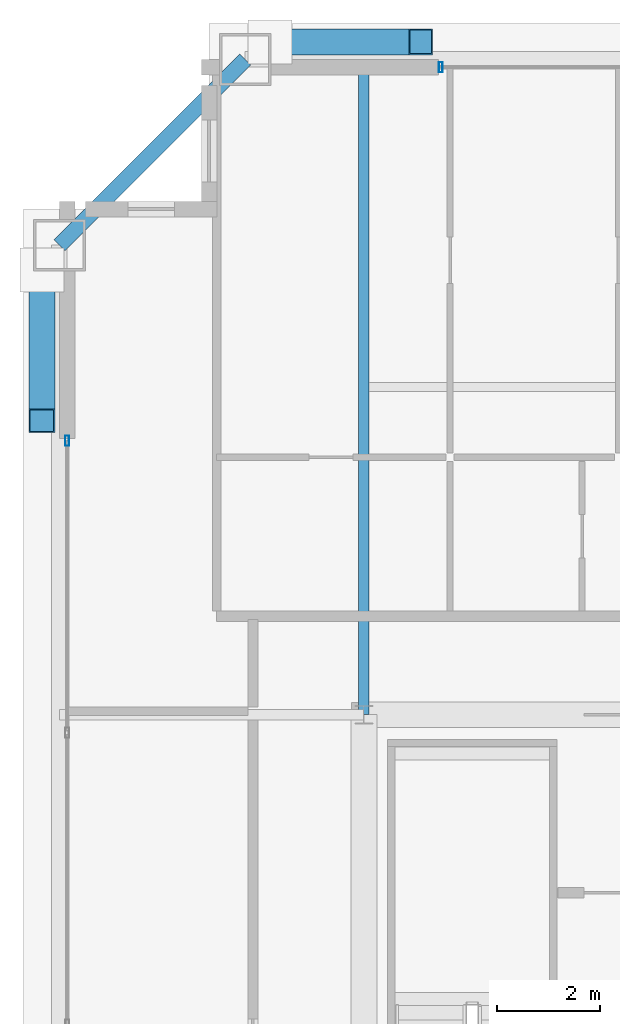
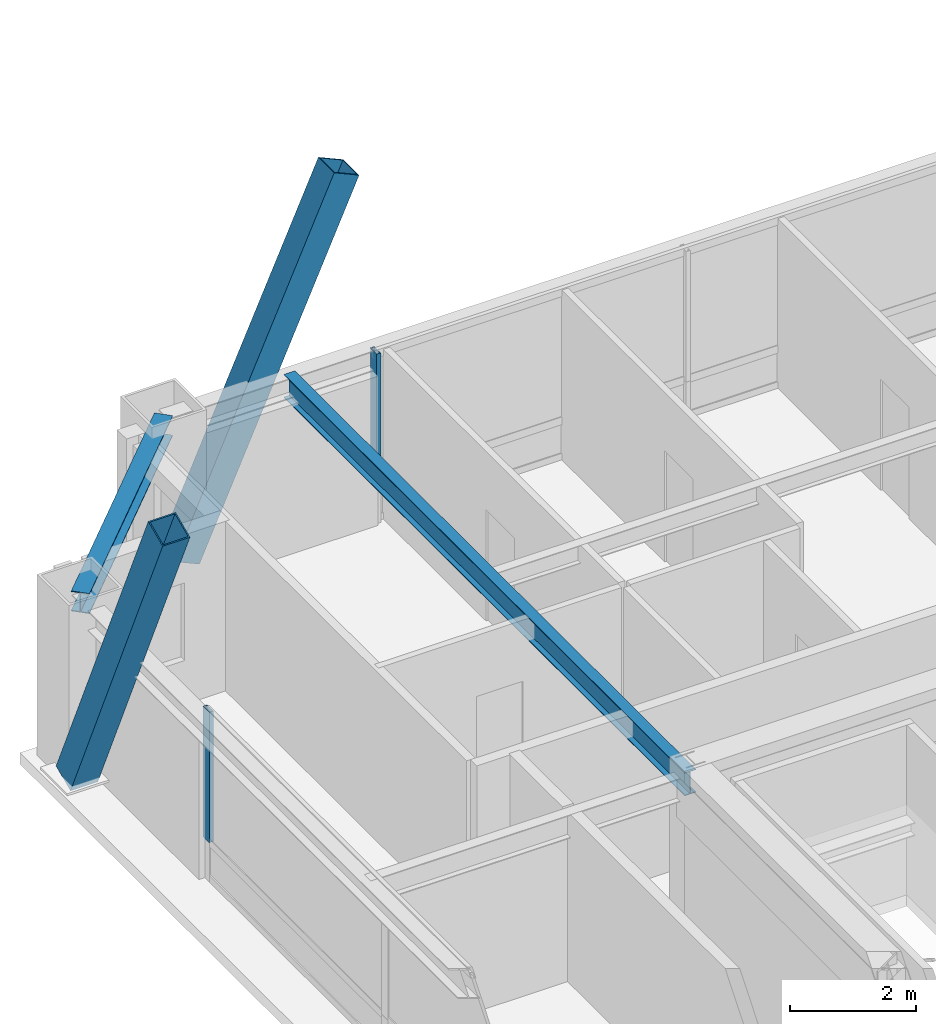
# One storey, part 15 of 35: 4 members, 2 beams, 2 elements without a shape of their own.
"""IFC4 building model written with IfcOpenShell, lengths in metres."""

from ifc_helpers import new_model, si_unit, direction, frame, origin, origin_2d, place, context, subcontext, project, spatial, hollow_rectangle, i_section, extrude, source, transform, mapped, material, layer, layer_set, material_profile, profile_set, type_object, element, aggregate, save


model = new_model("IFC4")

# Units and contexts
model_context = context("Model", 3, precision=1e-05, world=origin(), true_north=direction((0.0, 1.0)))
body_context = subcontext(model_context, "Body", "Model", "MODEL_VIEW")
ifc_project = project(units=[si_unit("LENGTHUNIT", "METRE"), si_unit("AREAUNIT", "SQUARE_METRE"), si_unit("VOLUMEUNIT", "CUBIC_METRE"), si_unit("PLANEANGLEUNIT", "RADIAN"), si_unit("MASSUNIT", "GRAM", prefix="KILO"), si_unit("THERMODYNAMICTEMPERATUREUNIT", "KELVIN"), si_unit("POWERUNIT", "WATT")], contexts=[model_context])

# Site, building, storey
site_placement = place(None, origin())
site = spatial("IfcSite", under=ifc_project, at=site_placement, CompositionType="ELEMENT")
building_placement = place(site_placement, origin())
building = spatial("IfcBuilding", under=site, at=building_placement, Name="Yuzanri Waterfront Tower", CompositionType="ELEMENT")
storey_placement = place(building_placement, frame((0.0, 0.0, 299.60009765625)))
storey = spatial("IfcBuildingStorey", under=building, at=storey_placement, Name="L80", CompositionType="ELEMENT", Elevation=299.60009765625)

# Beams
ifc_material_1 = material(Name="Steel Q355B", Category="steel")
ifc_material_profile_1 = material_profile(ifc_material_1, i_section(OverallWidth=0.300048828125, OverallDepth=0.389892578125, WebThickness=0.010009765625, FlangeThickness=0.01611328125, at=origin_2d()), Name="HM 390x300x10x16")
ifc_profile_set_1 = profile_set([ifc_material_profile_1], Name="Steel Q355B")
beam_type_1 = type_object("IfcBeamType", Name="Perimeter Spandrel Q355B HM 390x300", PredefinedType="SPANDREL", material=ifc_profile_set_1)
shared_shape_1 = source(origin(), body_context, "Body", "SweptSolid", [
    extrude(i_section(OverallWidth=0.300048828125, OverallDepth=0.389892578125, WebThickness=0.010009765625, FlangeThickness=0.01611328125, at=origin_2d()), origin(), (0.0, 0.0, 1.0), 5.091064453125),
])
beam_1_placement = place(storey_placement, frame((21.5, 44.89990234375, 3.0849609375), z_axis=(-0.707130757816, -0.707082803744, 0.0), x_axis=(0.707082803744, -0.707130757816, 0.0)))
element("IfcBeam", 1, at=beam_1_placement, inside=storey, type_object=beam_type_1, Name="L80 Perimeter Spandrel N1-W3", PredefinedType="SPANDREL", context=body_context, shape_type="MappedRepresentation", body=[
    mapped(shared_shape_1, transform((0.0, 0.0, 0.0), scale=1.0)),
])
ifc_material_2 = material(Name="Steel Q355B", Category="steel")
ifc_material_profile_2 = material_profile(ifc_material_2, i_section(OverallWidth=0.199951171875, OverallDepth=0.449951171875, WebThickness=0.009033203125, FlangeThickness=0.013916015625, at=origin_2d()), Name="HN 450x200x9x14")
ifc_profile_set_2 = profile_set([ifc_material_profile_2], Name="Steel Q355B")
beam_type_2 = type_object("IfcBeamType", Name="Secondary Floor Beam Q355B HN 450x200", PredefinedType="BEAM", material=ifc_profile_set_2)
shared_shape_2 = source(origin(), body_context, "Body", "SweptSolid", [
    extrude(i_section(OverallWidth=0.199951171875, OverallDepth=0.449951171875, WebThickness=0.009033203125, FlangeThickness=0.013916015625, at=origin_2d()), origin(), (0.0, 0.0, 1.0), 12.699951171875),
])
beam_2_placement = place(storey_placement, frame((23.800048828125, 32.199951171875, 3.054931640625), z_axis=(0.0, 1.0, 0.0), x_axis=(-1.0, 0.0, 0.0)))
element("IfcBeam", 2, at=beam_2_placement, inside=storey, type_object=beam_type_2, Name="L80 North-West Core Line Beam", PredefinedType="BEAM", context=body_context, shape_type="MappedRepresentation", body=[
    mapped(shared_shape_2, transform((0.0, 0.0, 0.0), scale=1.0)),
])

# Members
ifc_material_3 = material(Name="Steel Q390GJC", Category="steel")
ifc_material_profile_3 = material_profile(ifc_material_3, hollow_rectangle(XDim=0.5, YDim=0.5, WallThickness=0.02197265625, at=origin_2d()), Name="RHS 500x500x22")
ifc_profile_set_3 = profile_set([ifc_material_profile_3], Name="Steel Q390GJC")
member_type_1 = type_object("IfcMemberType", Name="Mega Brace Upper Q390GJC RHS 500x500x22", PredefinedType="BRACE", material=ifc_profile_set_3)
shared_shape_3 = source(origin(), body_context, "Body", "SweptSolid", [
    extrude(hollow_rectangle(XDim=0.5, YDim=0.5, WallThickness=0.02197265625, at=origin_2d()), origin(), (0.0, 0.0, 1.0), 7.125732421875),
])
for number, where, z_axis, x_axis, name in (
    (3, (21.97998046875, 45.239990234375, 0.179931640625), (0.409771952938, 0.0, 0.912187999584), (0.0, 1.0, 0.0), "L80-L81 Perimeter Mega-Brace N-L"),
    (4, (17.56005859375, 40.820068359375, 0.179931640625), (0.0, -0.409800461192, 0.912175192607), (1.0, 0.0, 0.0), "L80-L81 Perimeter Mega-Brace W-R"),
):
    element("IfcMember", number, at=place(storey_placement, frame(where, z_axis=z_axis, x_axis=x_axis)), inside=storey, type_object=member_type_1, Name=name, PredefinedType="BRACE", context=body_context, shape_type="MappedRepresentation", body=[
        mapped(shared_shape_3, transform((0.0, 0.0, 0.0), scale=1.0)),
    ])

# Curtain wall, member
ifc_material_4 = material(Name="Anodized Architectural Bronze", Category="metal")
ifc_layer = layer(ifc_material_4, 0.159912109375)
ifc_layer_set = layer_set([ifc_layer], Name="Anodized Architectural Bronze")
curtain_wall_type = type_object("IfcCurtainWallType", Name="Anodized Bronze High-Rise Penthouse High-Wind Unitized Curtain Wall 6900", PredefinedType="NOTDEFINED", material=ifc_layer_set)
curtain_wall_1_placement = place(storey_placement, origin())
curtain_wall_1 = element("IfcCurtainWall", 5, at=curtain_wall_1_placement, inside=storey, type_object=curtain_wall_type, Name="L80 Curtain Wall CW-L80-NL", PredefinedType="NOTDEFINED")
ifc_material_5 = material(Name="Anodized Architectural Bronze", Category="metal")
ifc_material_profile_4 = material_profile(ifc_material_5, hollow_rectangle(XDim=0.074951171875, YDim=0.199951171875, WallThickness=0.00390625, at=origin_2d()), Name="CWM 75x200")
ifc_profile_set_4 = profile_set([ifc_material_profile_4], Name="Anodized Architectural Bronze")
member_type_2 = type_object("IfcMemberType", Name="Anodized Bronze Primary Curtain-Wall Mullion 75x200", PredefinedType="MULLION", material=ifc_profile_set_4)
shared_shape_4 = source(origin(), body_context, "Body", "SweptSolid", [
    extrude(hollow_rectangle(XDim=0.074951171875, YDim=0.199951171875, WallThickness=0.00390625, at=origin_2d()), origin(), (0.0, 0.0, 1.0), 2.52392578125),
])
member_1_placement = place(storey_placement, frame((25.2900390625, 44.75, 0.755859375), z_axis=(0.0, 0.0, 1.0), x_axis=(1.0, 0.0, 0.0)))
member_1 = element("IfcMember", 6, at=member_1_placement, type_object=member_type_2, Name="CW-L80-NL Upper Mullion 00", PredefinedType="MULLION", context=body_context, shape_type="MappedRepresentation", body=[
    mapped(shared_shape_4, transform((0.0, 0.0, 0.0), scale=1.0)),
])
aggregate(curtain_wall_1, [member_1])

curtain_wall_2_placement = place(storey_placement, origin())
curtain_wall_2 = element("IfcCurtainWall", 7, at=curtain_wall_2_placement, inside=storey, type_object=curtain_wall_type, Name="L80 Curtain Wall CW-L80-WR", PredefinedType="NOTDEFINED")
member_2_placement = place(storey_placement, frame((18.050048828125, 37.510009765625, 0.755859375), z_axis=(0.0, 0.0, 1.0), x_axis=(1.0, 0.0, 0.0)))
member_2 = element("IfcMember", 8, at=member_2_placement, type_object=member_type_2, Name="CW-L80-WR Upper Mullion 02", PredefinedType="MULLION", context=body_context, shape_type="MappedRepresentation", body=[
    mapped(shared_shape_4, transform((0.0, 0.0, 0.0), scale=1.0)),
])
aggregate(curtain_wall_2, [member_2])

save(model, "model.ifc")
